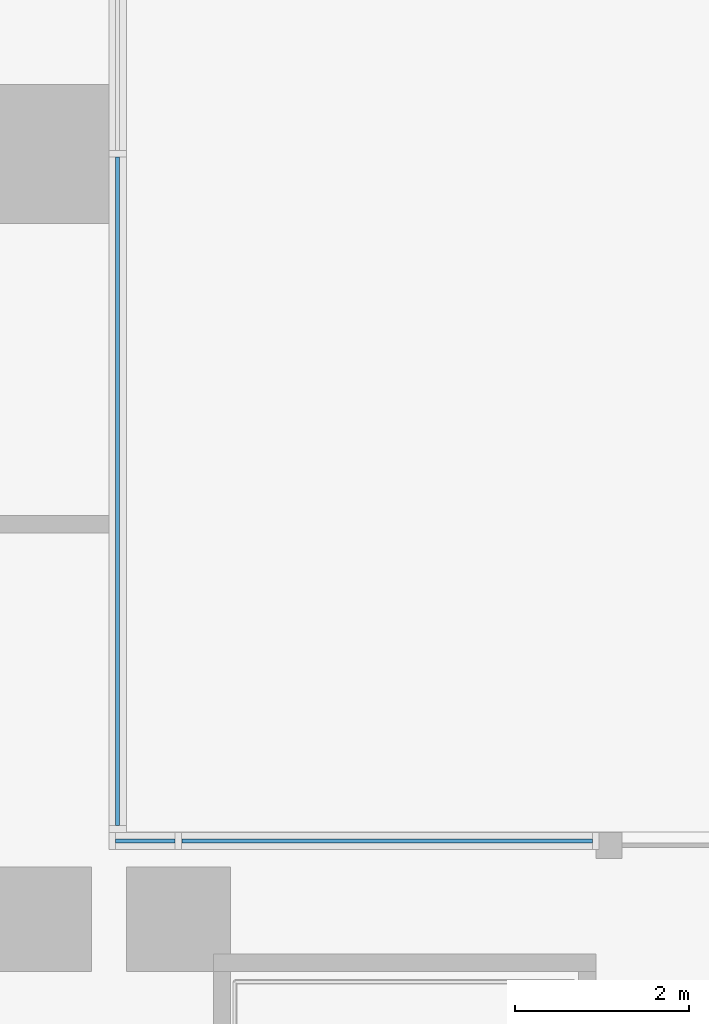
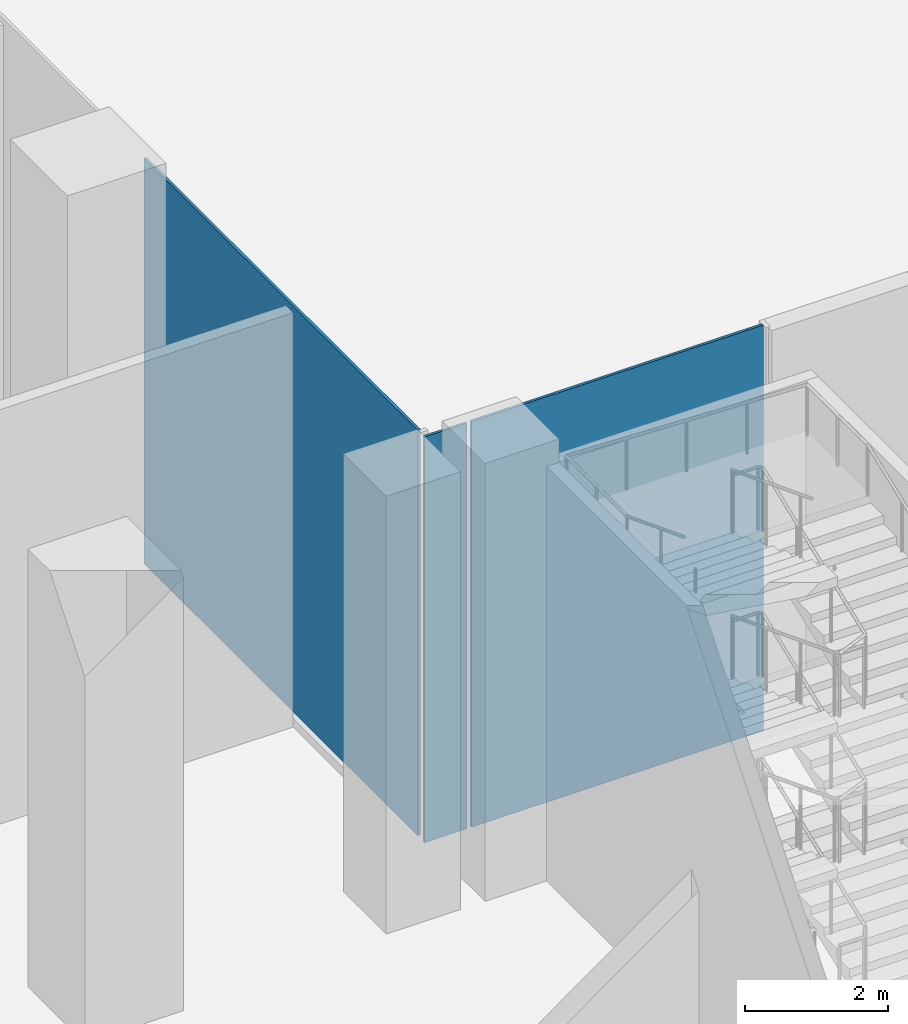
# One storey, part 19 of 41: 3 plates, 2 elements without a shape of their own.
"""IFC4 building model written with IfcOpenShell, lengths in metres."""

from ifc_helpers import new_model, si_unit, direction, frame, origin, origin_2d, place, context, subcontext, project, spatial, rectangle, extrude, source, transform, mapped, material, layer, layer_set, type_object, element, aggregate, save


model = new_model("IFC4")

# Units and contexts
model_context = context("Model", 3, precision=1e-05, world=origin(), true_north=direction((0.0, 1.0)))
body_context = subcontext(model_context, "Body", "Model", "MODEL_VIEW")
ifc_project = project(units=[si_unit("LENGTHUNIT", "METRE"), si_unit("AREAUNIT", "SQUARE_METRE"), si_unit("VOLUMEUNIT", "CUBIC_METRE"), si_unit("PLANEANGLEUNIT", "RADIAN"), si_unit("MASSUNIT", "GRAM", prefix="KILO")], contexts=[model_context])

# Site, building, storey
site_placement = place(None, origin())
site = spatial("IfcSite", under=ifc_project, at=site_placement, CompositionType="ELEMENT")
building_placement = place(site_placement, origin())
building = spatial("IfcBuilding", under=site, at=building_placement, Name="Kemantara Hotel Tower", CompositionType="ELEMENT")
storey_placement = place(building_placement, origin())
storey = spatial("IfcBuildingStorey", under=building, at=storey_placement, Name="L00", CompositionType="ELEMENT", Elevation=0.0)

# Curtain wall, plates
ifc_material = material(Name="Laminated tinted insulated glass 44 mm", Category="glass")
curtain_wall_type = type_object("IfcCurtainWallType", Name="PODIUM GLASS CURTAIN WALL", PredefinedType="USERDEFINED", material=ifc_material)
curtain_wall_1_placement = place(storey_placement, origin())
curtain_wall_1 = element("IfcCurtainWall", 1, at=curtain_wall_1_placement, inside=storey, type_object=curtain_wall_type, Name="CW1 L00 POD-R09-5", ObjectType="PODIUM GLASS CURTAIN WALL", PredefinedType="USERDEFINED")
ifc_layer = layer(ifc_material, 0.0439453125)
ifc_layer_set = layer_set([ifc_layer], Name="Laminated tinted insulated glass 44 mm")
plate_type = type_object("IfcPlateType", Name="PODIUM GLASS CURTAIN WALL PANEL", PredefinedType="CURTAIN_PANEL", material=ifc_layer_set)
shared_shape_1 = source(origin(), body_context, "Body", "SweptSolid", [
    extrude(rectangle(XDim=0.6875, YDim=0.0439453125, at=origin_2d()), origin(), (0.0, 0.0, 1.0), 6.949951171875),
])
plate_1_placement = place(storey_placement, frame((27.018798828125, 54.699951171875, 0.14990234375), z_axis=(0.0, 0.0, 1.0), x_axis=(-1.0, 0.0, 0.0)))
plate_1 = element("IfcPlate", 2, at=plate_1_placement, type_object=plate_type, Name="CW1 glass panel POD-R09-5.2", PredefinedType="CURTAIN_PANEL", context=body_context, shape_type="MappedRepresentation", body=[
    mapped(shared_shape_1, transform((0.0, 0.0, 0.0))),
])
shared_shape_2 = source(origin(), body_context, "Body", "SweptSolid", [
    extrude(rectangle(XDim=4.72509765625, YDim=0.0439453125, at=origin_2d()), origin(), (0.0, 0.0, 1.0), 6.949951171875),
])
plate_2_placement = place(storey_placement, frame((29.800048828125, 54.699951171875, 0.14990234375), z_axis=(0.0, 0.0, 1.0), x_axis=(-1.0, 0.0, 0.0)))
plate_2 = element("IfcPlate", 3, at=plate_2_placement, type_object=plate_type, Name="CW1 glass panel POD-R09-5.1", PredefinedType="CURTAIN_PANEL", context=body_context, shape_type="MappedRepresentation", body=[
    mapped(shared_shape_2, transform((0.0, 0.0, 0.0))),
])
aggregate(curtain_wall_1, [plate_2, plate_1])

# Curtain wall, plate
curtain_wall_2_placement = place(storey_placement, origin())
curtain_wall_2 = element("IfcCurtainWall", 4, at=curtain_wall_2_placement, inside=storey, type_object=curtain_wall_type, Name="CW1 L00 POD-R10-1", ObjectType="PODIUM GLASS CURTAIN WALL", PredefinedType="USERDEFINED")
shared_shape_3 = source(origin(), body_context, "Body", "SweptSolid", [
    extrude(rectangle(XDim=7.6875, YDim=0.0439453125, at=origin_2d()), origin(), (0.0, 0.0, 1.0), 6.949951171875),
])
plate_3_placement = place(storey_placement, frame((26.699951171875, 58.71875, 0.14990234375), z_axis=(0.0, 0.0, 1.0), x_axis=(0.0, 1.0, 0.0)))
plate_3 = element("IfcPlate", 5, at=plate_3_placement, type_object=plate_type, Name="CW1 glass panel POD-R10-1.1", PredefinedType="CURTAIN_PANEL", context=body_context, shape_type="MappedRepresentation", body=[
    mapped(shared_shape_3, transform((0.0, 0.0, 0.0))),
])
aggregate(curtain_wall_2, [plate_3])

save(model, "model.ifc")
